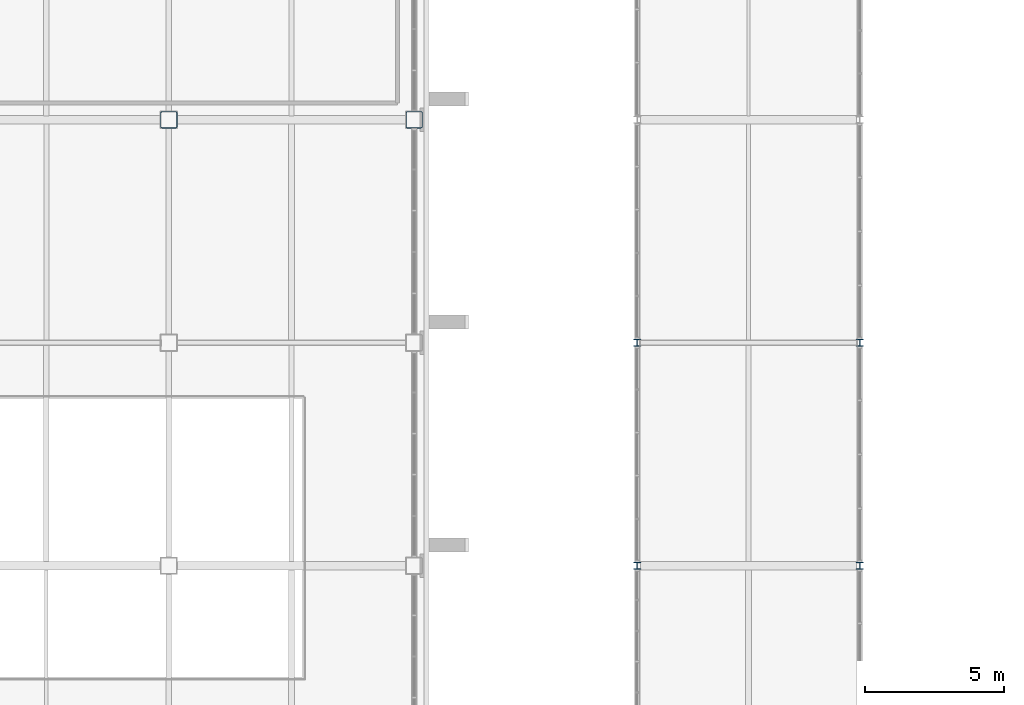
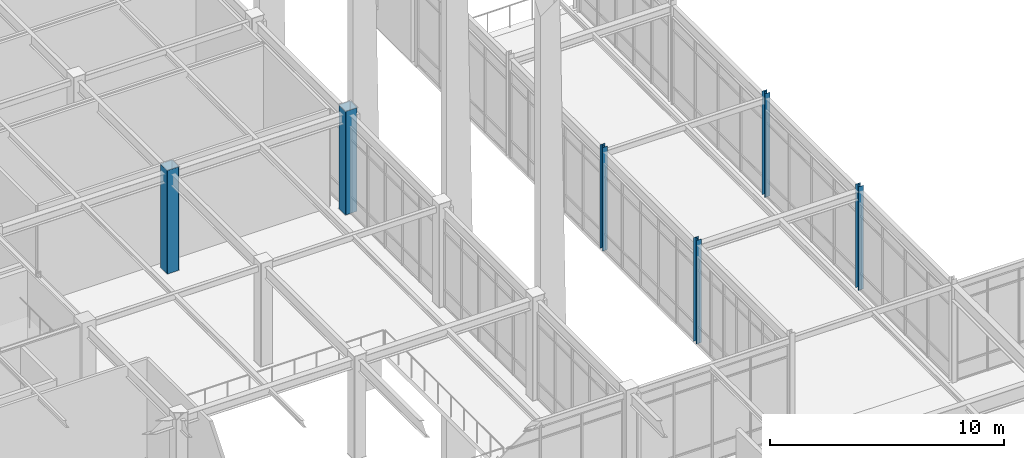
# One storey, part 6 of 184: 6 columns.
"""IFC4 building model written with IfcOpenShell, lengths in metres."""

from ifc_helpers import new_model, si_unit, direction, frame, origin, origin_2d, place, context, subcontext, project, spatial, hollow_rectangle, i_section, extrude, material, material_profile, profile_set, type_object, element, save


model = new_model("IFC4")

# Units and contexts
model_context = context("Model", 3, precision=1e-05, world=origin(), true_north=direction((0.0, 1.0)))
body_context = subcontext(model_context, "Body", "Model", "MODEL_VIEW")
ifc_project = project(units=[si_unit("LENGTHUNIT", "METRE"), si_unit("AREAUNIT", "SQUARE_METRE"), si_unit("VOLUMEUNIT", "CUBIC_METRE"), si_unit("PLANEANGLEUNIT", "RADIAN"), si_unit("MASSUNIT", "GRAM", prefix="KILO")], contexts=[model_context])

# Site, building, storey
site_placement = place(None, origin())
site = spatial("IfcSite", under=ifc_project, at=site_placement, CompositionType="ELEMENT")
building_placement = place(site_placement, origin())
building = spatial("IfcBuilding", under=site, at=building_placement, Name="Zhaolan Boulevard Law Courts", CompositionType="ELEMENT")
storey_placement = place(building_placement, frame((0.0, 0.0, 5.39990234375)))
storey = spatial("IfcBuildingStorey", under=building, at=storey_placement, Name="L01", CompositionType="ELEMENT", Elevation=5.39990234375)

# Columns
ifc_material_1 = material(Name="Structural steel Q390B", Category="steel")
ifc_material_profile_1 = material_profile(ifc_material_1, hollow_rectangle(XDim=0.60009765625, YDim=0.60009765625, WallThickness=0.02392578125, InnerFilletRadius=0.02392578125, OuterFilletRadius=0.048095703125, at=origin_2d()), Name="BOX600x600x24")
ifc_profile_set_1 = profile_set([ifc_material_profile_1], Name="Structural steel Q390B")
column_type_1 = type_object("IfcColumnType", Name="COL BOX600", PredefinedType="COLUMN", material=ifc_profile_set_1)
for number, where, z_axis, x_axis, name in (
    (1, (35.199951171875, 54.0, 0.0), (0.0, 0.0, 1.0), (1.0, 0.0, 0.0), "Column C-5H (L01)"),
    (2, (44.0, 54.0, 0.0), (0.0, 0.0, 1.0), (1.0, 0.0, 0.0), "Column C-6H (L01)"),
):
    element("IfcColumn", number, at=place(storey_placement, frame(where, z_axis=z_axis, x_axis=x_axis)), inside=storey, type_object=column_type_1, Name=name, PredefinedType="COLUMN", context=body_context, shape_type="SweptSolid", body=[
        extrude(hollow_rectangle(XDim=0.60009765625, YDim=0.60009765625, WallThickness=0.02392578125, InnerFilletRadius=0.02392578125, OuterFilletRadius=0.048095703125, at=origin_2d()), origin(), (0.0, 0.0, 1.0), 5.400146484375),
    ])
ifc_material_2 = material(Name="Structural steel Q355B", Category="steel")
ifc_material_profile_2 = material_profile(ifc_material_2, i_section(OverallWidth=0.25, OverallDepth=0.25, WebThickness=0.009033203125, FlangeThickness=0.013916015625, FilletRadius=0.01611328125, at=origin_2d()), Name="HW250x250")
ifc_profile_set_2 = profile_set([ifc_material_profile_2], Name="Structural steel Q355B")
column_type_2 = type_object("IfcColumnType", Name="COL HW250", PredefinedType="COLUMN", material=ifc_profile_set_2)
for number, where, z_axis, x_axis, name in (
    (3, (52.0, 38.0, 0.0), (0.0, 0.0, 1.0), (1.0, 0.0, 0.0), "Column C-7F (L01)"),
    (4, (52.0, 46.0, 0.0), (0.0, 0.0, 1.0), (1.0, 0.0, 0.0), "Column C-7G (L01)"),
    (5, (60.0, 38.0, 0.0), (0.0, 0.0, 1.0), (1.0, 0.0, 0.0), "Column C-8F (L01)"),
    (6, (60.0, 46.0, 0.0), (0.0, 0.0, 1.0), (1.0, 0.0, 0.0), "Column C-8G (L01)"),
):
    element("IfcColumn", number, at=place(storey_placement, frame(where, z_axis=z_axis, x_axis=x_axis)), inside=storey, type_object=column_type_2, Name=name, PredefinedType="COLUMN", context=body_context, shape_type="SweptSolid", body=[
        extrude(i_section(OverallWidth=0.25, OverallDepth=0.25, WebThickness=0.009033203125, FlangeThickness=0.013916015625, FilletRadius=0.01611328125, at=origin_2d()), origin(), (0.0, 0.0, 1.0), 5.400146484375),
    ])

save(model, "model.ifc")
